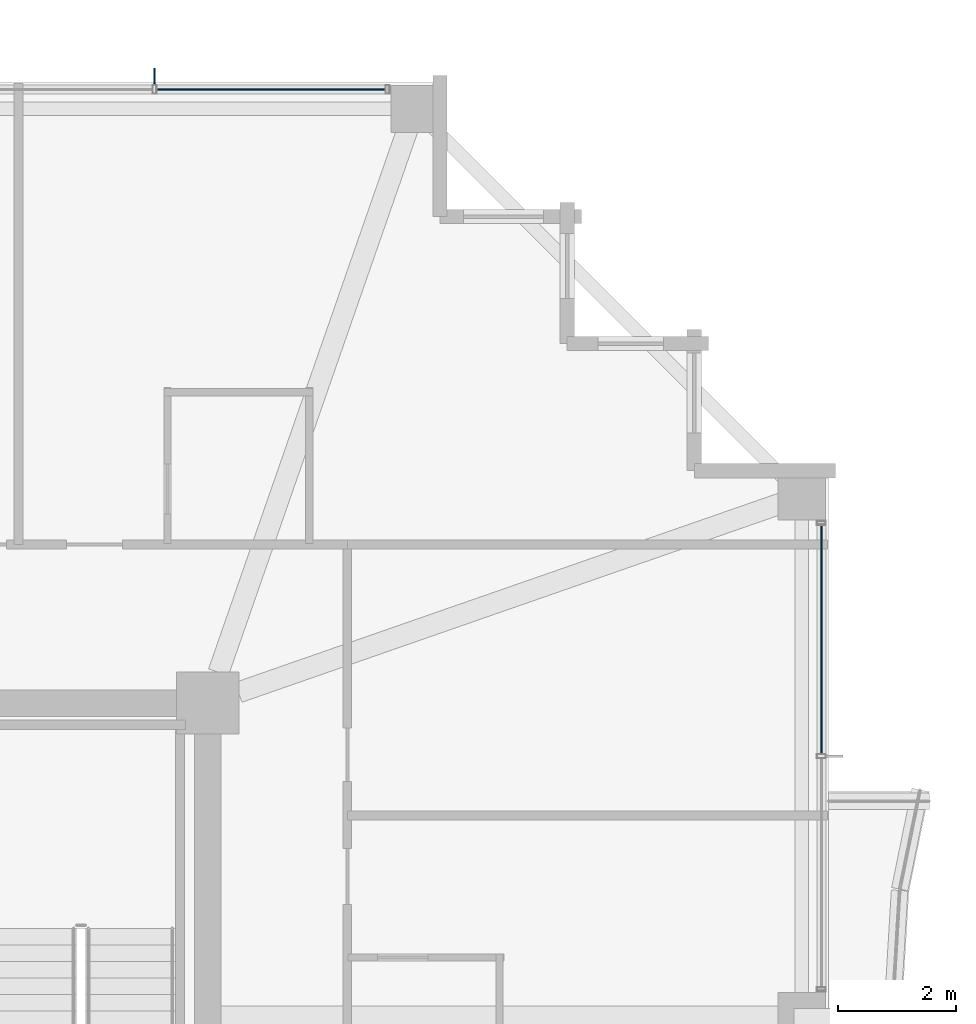
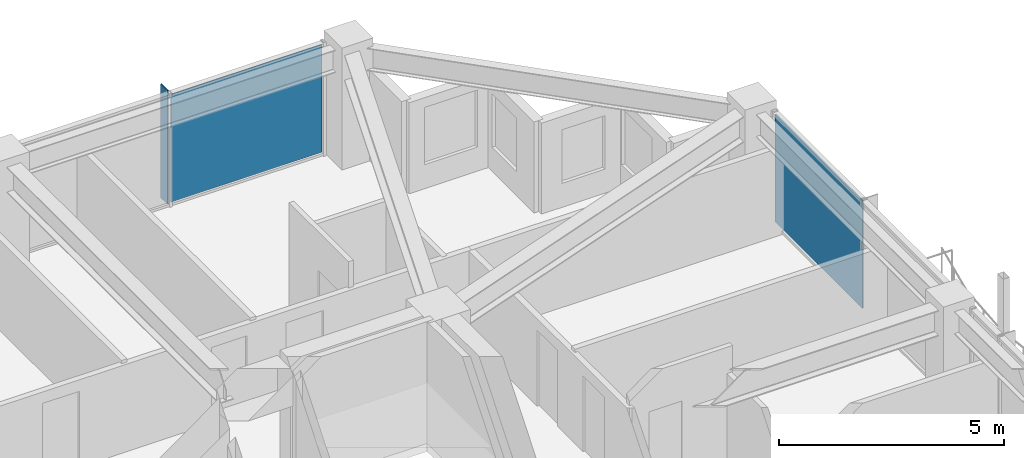
# One storey, part 28 of 35: 3 plates, 2 elements without a shape of their own.
"""IFC4 building model written with IfcOpenShell, lengths in metres."""

from ifc_helpers import new_model, si_unit, direction, frame, origin, origin_2d, place, context, subcontext, project, spatial, rectangle, extrude, material, layer, layer_set, type_object, element, aggregate, save


model = new_model("IFC4")

# Units and contexts
model_context = context("Model", 3, precision=1e-05, world=origin(), true_north=direction((0.0, 1.0)))
body_context = subcontext(model_context, "Body", "Model", "MODEL_VIEW")
ifc_project = project(units=[si_unit("LENGTHUNIT", "METRE"), si_unit("AREAUNIT", "SQUARE_METRE"), si_unit("VOLUMEUNIT", "CUBIC_METRE"), si_unit("PLANEANGLEUNIT", "RADIAN"), si_unit("MASSUNIT", "GRAM", prefix="KILO")], contexts=[model_context])

# Site, building, storey
site_placement = place(None, origin())
site = spatial("IfcSite", under=ifc_project, at=site_placement, CompositionType="ELEMENT")
building_placement = place(site_placement, origin())
building = spatial("IfcBuilding", under=site, at=building_placement, Name="Kolvaren Belvedere", CompositionType="ELEMENT")
storey_placement = place(building_placement, frame((0.0, 0.0, 216.300048828125)))
storey = spatial("IfcBuildingStorey", under=building, at=storey_placement, Name="L63", CompositionType="ELEMENT", Elevation=216.300048828125)

# Curtain wall, plate
ifc_material_1 = material(Name="Anodised pale-metal aluminium AA 6063-T6", Category="aluminium")
curtain_wall_type = type_object("IfcCurtainWallType", Name="CW-Z5-HIGH", PredefinedType="NOTDEFINED", material=ifc_material_1)
curtain_wall_1_placement = place(storey_placement, origin())
curtain_wall_1 = element("IfcCurtainWall", 1, at=curtain_wall_1_placement, inside=storey, type_object=curtain_wall_type, Name="L63 Unitised Curtain Wall FCW-L63-E1-B1", PredefinedType="NOTDEFINED")
ifc_material_2 = material(Name="Low-iron triple insulated glass", Category="glass")
ifc_layer_1 = layer(ifc_material_2, 0.028076171875)
ifc_layer_set_1 = layer_set([ifc_layer_1], Name="Low-iron triple insulated glass")
plate_type_1 = type_object("IfcPlateType", Name="CW-PNL-VIS28", PredefinedType="CURTAIN_PANEL", material=ifc_layer_set_1)
plate_1_placement = place(storey_placement, frame((20.280029296875, 10.972412109375, 0.080078125), z_axis=(0.0, 0.0, 1.0), x_axis=(0.0, -1.0, 0.0)))
plate_1 = element("IfcPlate", 2, at=plate_1_placement, type_object=plate_type_1, Name="FCW-L63-E1-B1 Vision Glazing Panel 1", PredefinedType="CURTAIN_PANEL", context=body_context, shape_type="SweptSolid", body=[
    extrude(rectangle(XDim=3.864990234375, YDim=0.028076171875, at=origin_2d()), origin(), (0.0, 0.0, 1.0), 2.919921875),
])
aggregate(curtain_wall_1, [plate_1])

curtain_wall_2_placement = place(storey_placement, origin())
curtain_wall_2 = element("IfcCurtainWall", 3, at=curtain_wall_2_placement, inside=storey, type_object=curtain_wall_type, Name="L63 Unitised Curtain Wall FCW-L63-N-B3", PredefinedType="NOTDEFINED")
plate_2_placement = place(storey_placement, frame((10.972412109375, 20.280029296875, 0.080078125), z_axis=(0.0, 0.0, 1.0), x_axis=(1.0, 0.0, 0.0)))
plate_2 = element("IfcPlate", 4, at=plate_2_placement, type_object=plate_type_1, Name="FCW-L63-N-B3 Vision Glazing Panel 2", PredefinedType="CURTAIN_PANEL", context=body_context, shape_type="SweptSolid", body=[
    extrude(rectangle(XDim=3.864990234375, YDim=0.028076171875, at=origin_2d()), origin(), (0.0, 0.0, 1.0), 2.919921875),
])
aggregate(curtain_wall_2, [plate_2])

# Plate
ifc_material_3 = material(Name="Anodised pale-metal aluminium AA 6063-T6", Category="aluminium")
ifc_layer_2 = layer(ifc_material_3, 0.030029296875)
ifc_layer_set_2 = layer_set([ifc_layer_2], Name="Anodised pale-metal aluminium AA 6063-T6")
plate_type_2 = type_object("IfcPlateType", Name="FIN-VERT-300", PredefinedType="USERDEFINED", material=ifc_layer_set_2)
plate_3_placement = place(storey_placement, frame((9.0, 20.489990234375, 0.0), z_axis=(0.0, 0.0, 1.0), x_axis=(0.0, 1.0, 0.0)))
element("IfcPlate", 5, at=plate_3_placement, inside=storey, type_object=plate_type_2, Name="L63 Pale-Metal Vertical Shading Fin FCW-L63-N-B3-1", ObjectType="VERTICAL FIN", PredefinedType="USERDEFINED", context=body_context, shape_type="SweptSolid", body=[
    extrude(rectangle(XDim=0.300048828125, YDim=0.030029296875, at=origin_2d()), origin(), (0.0, 0.0, 1.0), 3.080078125),
])

save(model, "model.ifc")
